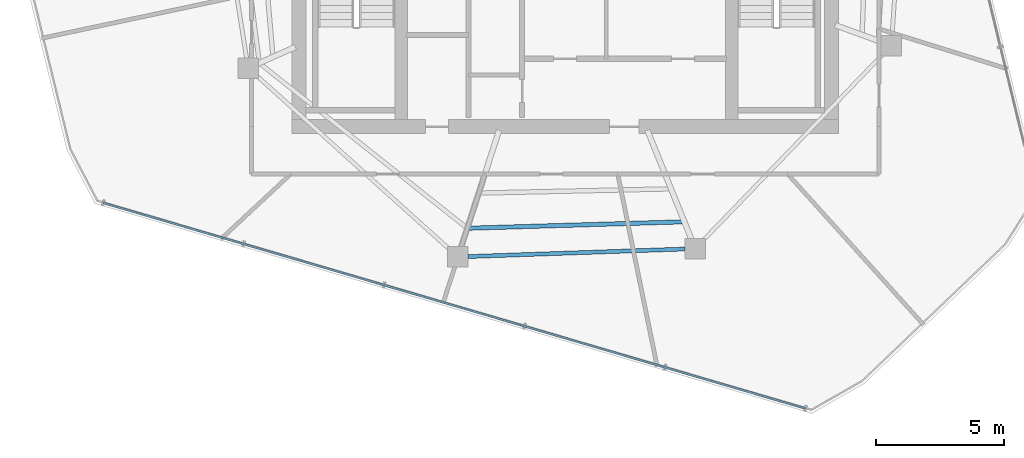
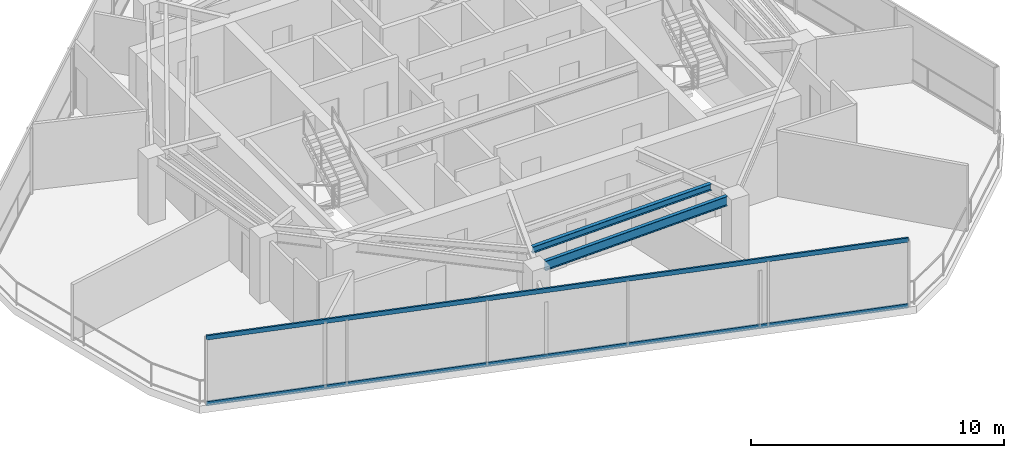
# One storey, part 3 of 19: 2 beams, 2 members, 1 element without a shape of its own.
"""IFC4 building model written with IfcOpenShell, lengths in metres."""

from ifc_helpers import new_model, si_unit, direction, frame, origin, origin_2d, place, context, subcontext, project, spatial, hollow_rectangle, i_section, extrude, material, layer, layer_set, material_profile, profile_set, type_object, element, aggregate, save


model = new_model("IFC4")

# Units and contexts
model_context = context("Model", 3, precision=1e-05, world=origin(), true_north=direction((0.0, 1.0)))
body_context = subcontext(model_context, "Body", "Model", "MODEL_VIEW")
ifc_project = project(units=[si_unit("LENGTHUNIT", "METRE"), si_unit("AREAUNIT", "SQUARE_METRE"), si_unit("VOLUMEUNIT", "CUBIC_METRE"), si_unit("PLANEANGLEUNIT", "RADIAN"), si_unit("MASSUNIT", "GRAM", prefix="KILO")], contexts=[model_context])

# Site, building, storey
site_placement = place(None, origin())
site = spatial("IfcSite", under=ifc_project, at=site_placement, CompositionType="ELEMENT")
building_placement = place(site_placement, origin())
building = spatial("IfcBuilding", under=site, at=building_placement, Name="Qarnah Convention Tower", CompositionType="ELEMENT")
storey_placement = place(building_placement, frame((0.0, 0.0, 231.89990234375)))
storey = spatial("IfcBuildingStorey", under=building, at=storey_placement, Name="L62", CompositionType="ELEMENT", Elevation=231.89990234375)

# Beams
ifc_material_1 = material(Name="Structural steel S355JR", Category="steel")
ifc_material_profile_1 = material_profile(ifc_material_1, i_section(OverallWidth=0.166015625, OverallDepth=0.31201171875, WebThickness=0.007080078125, FlangeThickness=0.010986328125, at=origin_2d()), Name="W310X45")
ifc_profile_set_1 = profile_set([ifc_material_profile_1], Name="Structural steel S355JR")
beam_type_1 = type_object("IfcBeamType", Name="BM-JST-W310", PredefinedType="JOIST", material=ifc_profile_set_1)
beam_1_placement = place(storey_placement, frame((33.467041015625, 14.635009765625, 3.024169921875), z_axis=(0.99955680435, 0.029769025486, 0.0), x_axis=(-0.029769025486, 0.99955680435, 0.0)))
element("IfcBeam", 1, at=beam_1_placement, inside=storey, type_object=beam_type_1, Name="L62 joist BM-L62-SJST-07", PredefinedType="JOIST", context=body_context, shape_type="SweptSolid", body=[
    extrude(i_section(OverallWidth=0.166015625, OverallDepth=0.31201171875, WebThickness=0.007080078125, FlangeThickness=0.010986328125, at=origin_2d()), origin(), (0.0, 0.0, 1.0), 8.299560546875),
])
ifc_material_profile_2 = material_profile(ifc_material_1, i_section(OverallWidth=0.154052734375, OverallDepth=0.4599609375, WebThickness=0.009033203125, FlangeThickness=0.014892578125, at=origin_2d()), Name="W460X68")
ifc_profile_set_2 = profile_set([ifc_material_profile_2], Name="Structural steel S355JR")
beam_type_2 = type_object("IfcBeamType", Name="BM-SPN-W460B", PredefinedType="SPANDREL", material=ifc_profile_set_2)
beam_2_placement = place(storey_placement, frame((33.403076171875, 13.527099609375, 2.9501953125), z_axis=(0.999392187652, 0.034860511467, 0.0), x_axis=(-0.034860511467, 0.999392187652, 0.0)))
element("IfcBeam", 2, at=beam_2_placement, inside=storey, type_object=beam_type_2, Name="L62 spandrel BM-L62-SPN-07", PredefinedType="SPANDREL", context=body_context, shape_type="SweptSolid", body=[
    extrude(i_section(OverallWidth=0.154052734375, OverallDepth=0.4599609375, WebThickness=0.009033203125, FlangeThickness=0.014892578125, at=origin_2d()), origin(), (0.0, 0.0, 1.0), 8.488037109375),
])

# Curtain wall, members
ifc_material_2 = material(Name="Tempered Low-E dark glass", Category="glass")
ifc_layer = layer(ifc_material_2, 0.176025390625)
ifc_layer_set = layer_set([ifc_layer], Name="Tempered Low-E dark glass")
curtain_wall_type = type_object("IfcCurtainWallType", Name="CWS-05", PredefinedType="NOTDEFINED", material=ifc_layer_set)
curtain_wall_placement = place(storey_placement, origin())
curtain_wall = element("IfcCurtainWall", 3, at=curtain_wall_placement, inside=storey, type_object=curtain_wall_type, Name="L62 unitised curtain wall CW-L62-F2", PredefinedType="NOTDEFINED")
ifc_material_3 = material(Name="Black anodised aluminium", Category="aluminium")
ifc_material_profile_3 = material_profile(ifc_material_3, hollow_rectangle(XDim=0.080078125, YDim=0.2099609375, WallThickness=0.0048828125, at=origin_2d()), Name="TRN-80X210")
ifc_profile_set_3 = profile_set([ifc_material_profile_3], Name="Black anodised aluminium")
member_type = type_object("IfcMemberType", Name="TRN-T5", PredefinedType="USERDEFINED", material=ifc_profile_set_3)
member_1_placement = place(storey_placement, frame((46.580078125, 7.594970703125, 0.0), z_axis=(-0.959696551643, 0.281038304799, 0.0), x_axis=(-0.281038304799, -0.959696551643, 0.0)))
member_1 = element("IfcMember", 4, at=member_1_placement, type_object=member_type, Name="CW-L62-F2 transom 1", ObjectType="TRANSOM", PredefinedType="USERDEFINED", context=body_context, shape_type="SweptSolid", body=[
    extrude(hollow_rectangle(XDim=0.080078125, YDim=0.2099609375, WallThickness=0.0048828125, at=origin_2d()), origin(), (0.0, 0.0, 1.0), 28.57275390625),
])
member_2_placement = place(storey_placement, frame((46.580078125, 7.594970703125, 3.18017578125), z_axis=(-0.959696551643, 0.281038304799, 0.0), x_axis=(-0.281038304799, -0.959696551643, 0.0)))
member_2 = element("IfcMember", 5, at=member_2_placement, type_object=member_type, Name="CW-L62-F2 transom 2", ObjectType="TRANSOM", PredefinedType="USERDEFINED", context=body_context, shape_type="SweptSolid", body=[
    extrude(hollow_rectangle(XDim=0.080078125, YDim=0.2099609375, WallThickness=0.0048828125, at=origin_2d()), origin(), (0.0, 0.0, 1.0), 28.57275390625),
])
aggregate(curtain_wall, [member_1, member_2])

save(model, "model.ifc")
